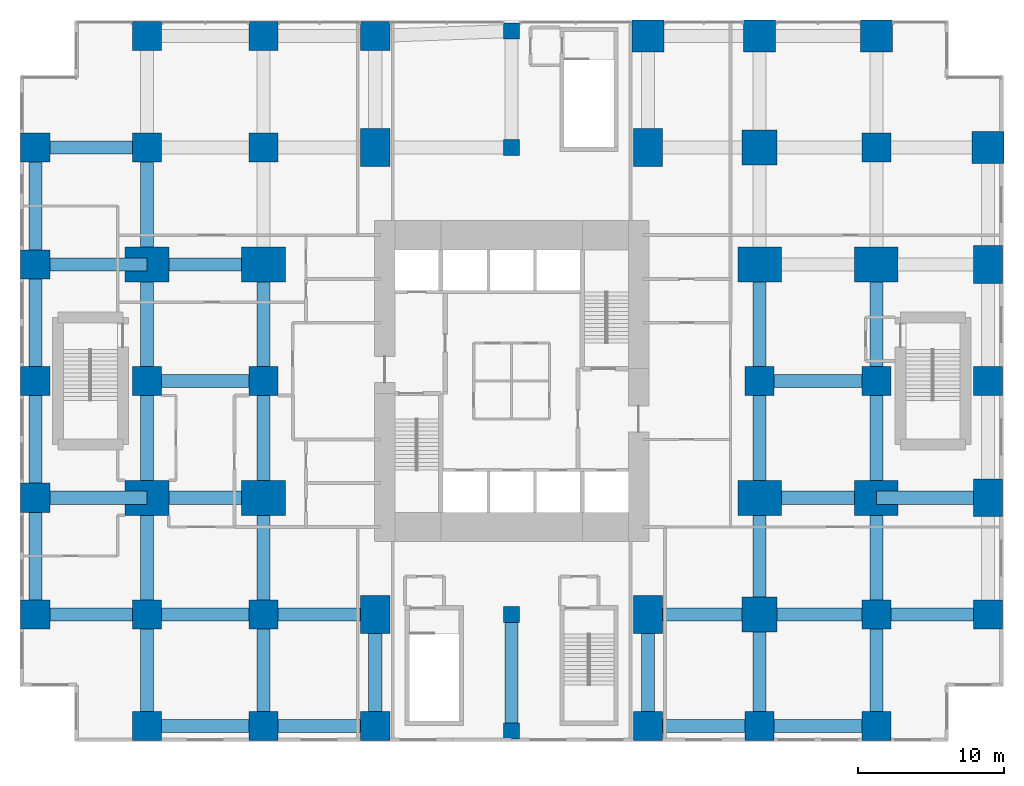
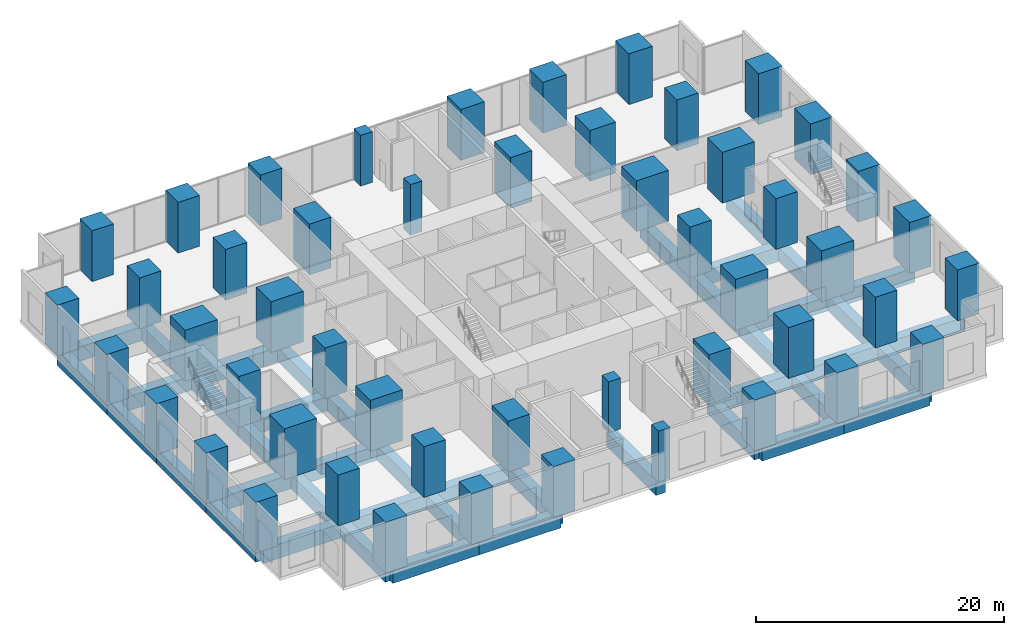
# One storey, part 1 of 11: 50 columns, 43 beams.
"""IFC4 building model written with IfcOpenShell, lengths in metres."""

from ifc_helpers import new_model, si_unit, direction, frame, origin, origin_2d, place, context, subcontext, project, spatial, rectangle, extrude, material, material_profile, profile_set, type_object, element, save


model = new_model("IFC4")

# Units and contexts
model_context = context("Model", 3, precision=1e-05, world=origin(), true_north=direction((0.0, 1.0)))
body_context = subcontext(model_context, "Body", "Model", "MODEL_VIEW")
ifc_project = project(units=[si_unit("LENGTHUNIT", "METRE"), si_unit("AREAUNIT", "SQUARE_METRE"), si_unit("VOLUMEUNIT", "CUBIC_METRE"), si_unit("PLANEANGLEUNIT", "RADIAN"), si_unit("MASSUNIT", "GRAM", prefix="KILO")], contexts=[model_context])

# Site, building, storey
site_placement = place(None, origin())
site = spatial("IfcSite", under=ifc_project, at=site_placement, CompositionType="ELEMENT")
building_placement = place(site_placement, origin())
building = spatial("IfcBuilding", under=site, at=building_placement, Name="Cleftline Residences", CompositionType="ELEMENT")
storey_placement = place(building_placement, frame((0.0, 0.0, 21.0)))
storey = spatial("IfcBuildingStorey", under=building, at=storey_placement, Name="L04", CompositionType="ELEMENT", Elevation=21.0)

# Columns
ifc_material_1 = material(Name="Concrete B70", Category="concrete")
ifc_material_profile_1 = material_profile(ifc_material_1, rectangle(XDim=1.10009765625, YDim=1.10009765625, at=origin_2d()))
ifc_profile_set_1 = profile_set([ifc_material_profile_1], Name="Concrete B70")
column_type_1 = type_object("IfcColumnType", Name="COLUMN RC1100X1100", PredefinedType="COLUMN", material=ifc_profile_set_1)
for number, where, z_axis, x_axis, name in (
    (1, (33.0, 0.0, 0.0), (0.0, 0.0, 1.0), (1.0, 0.0, 0.0), "Column C/7"),
    (2, (33.0, 8.0, 0.0), (0.0, 0.0, 1.0), (1.0, 0.0, 0.0), "Column D/7"),
    (3, (33.0, 40.0, 0.0), (0.0, 0.0, 1.0), (1.0, 0.0, 0.0), "Column H/7"),
    (4, (33.0, 48.0, 0.0), (0.0, 0.0, 1.0), (1.0, 0.0, 0.0), "Column J/7"),
):
    element("IfcColumn", number, at=place(storey_placement, frame(where, z_axis=z_axis, x_axis=x_axis)), inside=storey, type_object=column_type_1, Name=name, PredefinedType="COLUMN", context=body_context, shape_type="SweptSolid", body=[
        extrude(rectangle(XDim=1.10009765625, YDim=1.10009765625, at=origin_2d()), origin(), (0.0, 0.0, 1.0), 5.0),
    ])
ifc_material_2 = material(Name="Concrete B70", Category="concrete")
ifc_material_profile_2 = material_profile(ifc_material_2, rectangle(XDim=2.0, YDim=2.0, at=origin_2d()))
ifc_profile_set_2 = profile_set([ifc_material_profile_2], Name="Concrete B70")
column_type_2 = type_object("IfcColumnType", Name="COLUMN RC2000X2000", PredefinedType="COLUMN", material=ifc_profile_set_2)
for number, where, z_axis, x_axis, name in (
    (5, (0.35009765625, 8.0, 0.0), (0.0, 0.0, 1.0), (1.0, 0.0, 0.0), "Column D/3"),
    (6, (0.35009765625, 16.0, 0.0), (0.0, 0.0, 1.0), (1.0, 0.0, 0.0), "Column E/3"),
    (7, (0.35009765625, 24.0, 0.0), (0.0, 0.0, 1.0), (1.0, 0.0, 0.0), "Column F/3"),
    (8, (0.35009765625, 32.0, 0.0), (0.0, 0.0, 1.0), (1.0, 0.0, 0.0), "Column G/3"),
    (9, (0.35009765625, 40.0, 0.0), (0.0, 0.0, 1.0), (1.0, 0.0, 0.0), "Column H/3"),
    (10, (8.0, 0.35009765625, 0.0), (0.0, 0.0, 1.0), (1.0, 0.0, 0.0), "Column C/4"),
    (11, (8.0, 8.0, 0.0), (0.0, 0.0, 1.0), (1.0, 0.0, 0.0), "Column D/4"),
    (12, (8.0, 24.0, 0.0), (0.0, 0.0, 1.0), (1.0, 0.0, 0.0), "Column F/4"),
    (13, (8.0, 40.0, 0.0), (0.0, 0.0, 1.0), (1.0, 0.0, 0.0), "Column H/4"),
    (14, (8.0, 47.64990234375, 0.0), (0.0, 0.0, 1.0), (1.0, 0.0, 0.0), "Column J/4"),
    (15, (16.0, 0.35009765625, 0.0), (0.0, 0.0, 1.0), (1.0, 0.0, 0.0), "Column C/5"),
    (16, (16.0, 8.0, 0.0), (0.0, 0.0, 1.0), (1.0, 0.0, 0.0), "Column D/5"),
    (17, (16.0, 24.0, 0.0), (0.0, 0.0, 1.0), (1.0, 0.0, 0.0), "Column F/5"),
    (18, (16.0, 40.0, 0.0), (0.0, 0.0, 1.0), (1.0, 0.0, 0.0), "Column H/5"),
    (19, (16.0, 47.64990234375, 0.0), (0.0, 0.0, 1.0), (1.0, 0.0, 0.0), "Column J/5"),
    (20, (23.64990234375, 0.35009765625, 0.0), (0.0, 0.0, 1.0), (1.0, 0.0, 0.0), "Column C/6"),
    (21, (23.64990234375, 47.64990234375, 0.0), (0.0, 0.0, 1.0), (1.0, 0.0, 0.0), "Column J/6"),
    (22, (42.35009765625, 0.35009765625, 0.0), (0.0, 0.0, 1.0), (1.0, 0.0, 0.0), "Column C/8"),
    (23, (50.0, 0.35009765625, 0.0), (0.0, 0.0, 1.0), (1.0, 0.0, 0.0), "Column C/9"),
    (24, (50.0, 24.0, 0.0), (0.0, 0.0, 1.0), (1.0, 0.0, 0.0), "Column F/9"),
    (25, (58.0, 0.35009765625, 0.0), (0.0, 0.0, 1.0), (1.0, 0.0, 0.0), "Column C/10"),
    (26, (58.0, 8.0, 0.0), (0.0, 0.0, 1.0), (1.0, 0.0, 0.0), "Column D/10"),
    (27, (58.0, 24.0, 0.0), (0.0, 0.0, 1.0), (1.0, 0.0, 0.0), "Column F/10"),
    (28, (58.0, 40.0, 0.0), (0.0, 0.0, 1.0), (1.0, 0.0, 0.0), "Column H/10"),
    (29, (65.64990234375, 8.0, 0.0), (0.0, 0.0, 1.0), (1.0, 0.0, 0.0), "Column D/11"),
    (30, (65.64990234375, 24.0, 0.0), (0.0, 0.0, 1.0), (1.0, 0.0, 0.0), "Column F/11"),
):
    element("IfcColumn", number, at=place(storey_placement, frame(where, z_axis=z_axis, x_axis=x_axis)), inside=storey, type_object=column_type_2, Name=name, PredefinedType="COLUMN", context=body_context, shape_type="SweptSolid", body=[
        extrude(rectangle(XDim=2.0, YDim=2.0, at=origin_2d()), origin(), (0.0, 0.0, 1.0), 5.0),
    ])
ifc_material_3 = material(Name="Concrete B70", Category="concrete")
ifc_material_profile_3 = material_profile(ifc_material_3, rectangle(XDim=2.0, YDim=2.60009765625, at=origin_2d()))
ifc_profile_set_3 = profile_set([ifc_material_profile_3], Name="Concrete B70")
column_type_3 = type_object("IfcColumnType", Name="COLUMN RC2000X2600", PredefinedType="COLUMN", material=ifc_profile_set_3)
for number, where, z_axis, x_axis, name in (
    (31, (23.64990234375, 8.0, 0.0), (0.0, 0.0, 1.0), (1.0, 0.0, 0.0), "Column D/6"),
    (32, (23.64990234375, 40.0, 0.0), (0.0, 0.0, 1.0), (1.0, 0.0, 0.0), "Column H/6"),
    (33, (42.35009765625, 8.0, 0.0), (0.0, 0.0, 1.0), (1.0, 0.0, 0.0), "Column D/8"),
    (34, (42.35009765625, 40.0, 0.0), (0.0, 0.0, 1.0), (1.0, 0.0, 0.0), "Column H/8"),
):
    element("IfcColumn", number, at=place(storey_placement, frame(where, z_axis=z_axis, x_axis=x_axis)), inside=storey, type_object=column_type_3, Name=name, PredefinedType="COLUMN", context=body_context, shape_type="SweptSolid", body=[
        extrude(rectangle(XDim=2.0, YDim=2.60009765625, at=origin_2d()), origin(), (0.0, 0.0, 1.0), 5.0),
    ])
ifc_material_4 = material(Name="Concrete B70", Category="concrete")
ifc_material_profile_4 = material_profile(ifc_material_4, rectangle(XDim=2.199951171875, YDim=2.199951171875, at=origin_2d()))
ifc_profile_set_4 = profile_set([ifc_material_profile_4], Name="Concrete B70")
column_type_4 = type_object("IfcColumnType", Name="COLUMN RC2200X2200", PredefinedType="COLUMN", material=ifc_profile_set_4)
for number, where, z_axis, x_axis, name in (
    (35, (42.35009765625, 47.64990234375, 0.0), (0.0, 0.0, 1.0), (1.0, 0.0, 0.0), "Column J/8"),
    (36, (50.0, 47.64990234375, 0.0), (0.0, 0.0, 1.0), (1.0, 0.0, 0.0), "Column J/9"),
    (37, (58.0, 47.64990234375, 0.0), (0.0, 0.0, 1.0), (1.0, 0.0, 0.0), "Column J/10"),
    (38, (65.64990234375, 40.0, 0.0), (0.0, 0.0, 1.0), (1.0, 0.0, 0.0), "Column H/11"),
):
    element("IfcColumn", number, at=place(storey_placement, frame(where, z_axis=z_axis, x_axis=x_axis)), inside=storey, type_object=column_type_4, Name=name, PredefinedType="COLUMN", context=body_context, shape_type="SweptSolid", body=[
        extrude(rectangle(XDim=2.199951171875, YDim=2.199951171875, at=origin_2d()), origin(), (0.0, 0.0, 1.0), 5.0),
    ])
ifc_material_5 = material(Name="Concrete B70", Category="concrete")
ifc_material_profile_5 = material_profile(ifc_material_5, rectangle(XDim=2.39990234375, YDim=2.39990234375, at=origin_2d()))
ifc_profile_set_5 = profile_set([ifc_material_profile_5], Name="Concrete B70")
column_type_5 = type_object("IfcColumnType", Name="COLUMN RC2400X2400", PredefinedType="COLUMN", material=ifc_profile_set_5)
for number, where, z_axis, x_axis, name in (
    (39, (50.0, 8.0, 0.0), (0.0, 0.0, 1.0), (1.0, 0.0, 0.0), "Column D/9"),
    (40, (50.0, 40.0, 0.0), (0.0, 0.0, 1.0), (1.0, 0.0, 0.0), "Column H/9"),
):
    element("IfcColumn", number, at=place(storey_placement, frame(where, z_axis=z_axis, x_axis=x_axis)), inside=storey, type_object=column_type_5, Name=name, PredefinedType="COLUMN", context=body_context, shape_type="SweptSolid", body=[
        extrude(rectangle(XDim=2.39990234375, YDim=2.39990234375, at=origin_2d()), origin(), (0.0, 0.0, 1.0), 5.0),
    ])
ifc_material_6 = material(Name="Concrete B70", Category="concrete")
ifc_material_profile_6 = material_profile(ifc_material_6, rectangle(XDim=2.60009765625, YDim=2.0, at=origin_2d()))
ifc_profile_set_6 = profile_set([ifc_material_profile_6], Name="Concrete B70")
column_type_6 = type_object("IfcColumnType", Name="COLUMN RC2600X2000", PredefinedType="COLUMN", material=ifc_profile_set_6)
for number, where, z_axis, x_axis, name in (
    (41, (65.64990234375, 16.0, 0.0), (0.0, 0.0, 1.0), (0.0, 1.0, 0.0), "Column E/11"),
    (42, (65.64990234375, 32.0, 0.0), (0.0, 0.0, 1.0), (0.0, 1.0, 0.0), "Column G/11"),
):
    element("IfcColumn", number, at=place(storey_placement, frame(where, z_axis=z_axis, x_axis=x_axis)), inside=storey, type_object=column_type_6, Name=name, PredefinedType="COLUMN", context=body_context, shape_type="SweptSolid", body=[
        extrude(rectangle(XDim=2.60009765625, YDim=2.0, at=origin_2d()), origin(), (0.0, 0.0, 1.0), 5.0),
    ])
ifc_material_7 = material(Name="Concrete B70", Category="concrete")
ifc_material_profile_7 = material_profile(ifc_material_7, rectangle(XDim=3.0, YDim=2.39990234375, at=origin_2d()))
ifc_profile_set_7 = profile_set([ifc_material_profile_7], Name="Concrete B70")
column_type_7 = type_object("IfcColumnType", Name="COLUMN RC3000X2400", PredefinedType="COLUMN", material=ifc_profile_set_7)
for number, where, z_axis, x_axis, name in (
    (43, (8.0, 16.0, 0.0), (0.0, 0.0, 1.0), (1.0, 0.0, 0.0), "Column E/4"),
    (44, (8.0, 32.0, 0.0), (0.0, 0.0, 1.0), (1.0, 0.0, 0.0), "Column G/4"),
    (45, (16.0, 16.0, 0.0), (0.0, 0.0, 1.0), (1.0, 0.0, 0.0), "Column E/5"),
    (46, (16.0, 32.0, 0.0), (0.0, 0.0, 1.0), (1.0, 0.0, 0.0), "Column G/5"),
    (47, (50.0, 16.0, 0.0), (0.0, 0.0, 1.0), (1.0, 0.0, 0.0), "Column E/9"),
    (48, (50.0, 32.0, 0.0), (0.0, 0.0, 1.0), (1.0, 0.0, 0.0), "Column G/9"),
    (49, (58.0, 16.0, 0.0), (0.0, 0.0, 1.0), (1.0, 0.0, 0.0), "Column E/10"),
    (50, (58.0, 32.0, 0.0), (0.0, 0.0, 1.0), (1.0, 0.0, 0.0), "Column G/10"),
):
    element("IfcColumn", number, at=place(storey_placement, frame(where, z_axis=z_axis, x_axis=x_axis)), inside=storey, type_object=column_type_7, Name=name, PredefinedType="COLUMN", context=body_context, shape_type="SweptSolid", body=[
        extrude(rectangle(XDim=3.0, YDim=2.39990234375, at=origin_2d()), origin(), (0.0, 0.0, 1.0), 5.0),
    ])

# Beams
ifc_material_8 = material(Name="Concrete B45", Category="concrete")
ifc_material_profile_8 = material_profile(ifc_material_8, rectangle(XDim=0.89990234375, YDim=1.39990234375, at=origin_2d()))
ifc_profile_set_8 = profile_set([ifc_material_profile_8], Name="Concrete B45")
beam_type = type_object("IfcBeamType", Name="BEAM RC900X1400", PredefinedType="BEAM", material=ifc_profile_set_8)
beam_1_placement = place(storey_placement, frame((8.0, 0.35009765625, -1.0), z_axis=(1.0, 0.0, 0.0), x_axis=(0.0, 1.0, 0.0)))
element("IfcBeam", 51, at=beam_1_placement, inside=storey, type_object=beam_type, Name="Podium beam", PredefinedType="BEAM", context=body_context, shape_type="SweptSolid", body=[
    extrude(rectangle(XDim=0.89990234375, YDim=1.39990234375, at=origin_2d()), origin(), (0.0, 0.0, 1.0), 8.0),
])
for number, where, z_axis, x_axis, name in (
    (52, (16.0, 0.35009765625, -1.0), (1.0, 0.0, 0.0), (0.0, 1.0, 0.0), "Podium beam"),
    (53, (42.35009765625, 0.35009765625, -1.0), (1.0, 0.0, 0.0), (0.0, 1.0, 0.0), "Podium beam"),
):
    element("IfcBeam", number, at=place(storey_placement, frame(where, z_axis=z_axis, x_axis=x_axis)), inside=storey, type_object=beam_type, Name=name, PredefinedType="BEAM", context=body_context, shape_type="SweptSolid", body=[
        extrude(rectangle(XDim=0.89990234375, YDim=1.39990234375, at=origin_2d()), origin(), (0.0, 0.0, 1.0), 7.64990234375),
    ])
beam_2_placement = place(storey_placement, frame((50.0, 0.35009765625, -1.0), z_axis=(1.0, 0.0, 0.0), x_axis=(0.0, 1.0, 0.0)))
element("IfcBeam", 54, at=beam_2_placement, inside=storey, type_object=beam_type, Name="Podium beam", PredefinedType="BEAM", context=body_context, shape_type="SweptSolid", body=[
    extrude(rectangle(XDim=0.89990234375, YDim=1.39990234375, at=origin_2d()), origin(), (0.0, 0.0, 1.0), 8.0),
])
beam_3_placement = place(storey_placement, frame((0.35009765625, 8.0, -1.0), z_axis=(1.0, 0.0, 0.0), x_axis=(0.0, 1.0, 0.0)))
element("IfcBeam", 55, at=beam_3_placement, inside=storey, type_object=beam_type, Name="Podium beam", PredefinedType="BEAM", context=body_context, shape_type="SweptSolid", body=[
    extrude(rectangle(XDim=0.89990234375, YDim=1.39990234375, at=origin_2d()), origin(), (0.0, 0.0, 1.0), 7.64990234375),
])
beam_4_placement = place(storey_placement, frame((8.0, 8.0, -1.0), z_axis=(1.0, 0.0, 0.0), x_axis=(0.0, 1.0, 0.0)))
element("IfcBeam", 56, at=beam_4_placement, inside=storey, type_object=beam_type, Name="Podium beam", PredefinedType="BEAM", context=body_context, shape_type="SweptSolid", body=[
    extrude(rectangle(XDim=0.89990234375, YDim=1.39990234375, at=origin_2d()), origin(), (0.0, 0.0, 1.0), 8.0),
])
for number, where, z_axis, x_axis, name in (
    (57, (16.0, 8.0, -1.0), (1.0, 0.0, 0.0), (0.0, 1.0, 0.0), "Podium beam"),
    (58, (42.35009765625, 8.0, -1.0), (1.0, 0.0, 0.0), (0.0, 1.0, 0.0), "Podium beam"),
):
    element("IfcBeam", number, at=place(storey_placement, frame(where, z_axis=z_axis, x_axis=x_axis)), inside=storey, type_object=beam_type, Name=name, PredefinedType="BEAM", context=body_context, shape_type="SweptSolid", body=[
        extrude(rectangle(XDim=0.89990234375, YDim=1.39990234375, at=origin_2d()), origin(), (0.0, 0.0, 1.0), 7.64990234375),
    ])
beam_5_placement = place(storey_placement, frame((50.0, 8.0, -1.0), z_axis=(1.0, 0.0, 0.0), x_axis=(0.0, 1.0, 0.0)))
element("IfcBeam", 59, at=beam_5_placement, inside=storey, type_object=beam_type, Name="Podium beam", PredefinedType="BEAM", context=body_context, shape_type="SweptSolid", body=[
    extrude(rectangle(XDim=0.89990234375, YDim=1.39990234375, at=origin_2d()), origin(), (0.0, 0.0, 1.0), 8.0),
])
for number, where, z_axis, x_axis, name in (
    (60, (58.0, 8.0, -1.0), (1.0, 0.0, 0.0), (0.0, 1.0, 0.0), "Podium beam"),
    (61, (0.35009765625, 16.0, -1.0), (1.0, 0.0, 0.0), (0.0, 1.0, 0.0), "Podium beam"),
):
    element("IfcBeam", number, at=place(storey_placement, frame(where, z_axis=z_axis, x_axis=x_axis)), inside=storey, type_object=beam_type, Name=name, PredefinedType="BEAM", context=body_context, shape_type="SweptSolid", body=[
        extrude(rectangle(XDim=0.89990234375, YDim=1.39990234375, at=origin_2d()), origin(), (0.0, 0.0, 1.0), 7.64990234375),
    ])
for number, where, z_axis, x_axis, name in (
    (62, (8.0, 16.0, -1.0), (1.0, 0.0, 0.0), (0.0, 1.0, 0.0), "Podium beam"),
    (63, (50.0, 16.0, -1.0), (1.0, 0.0, 0.0), (0.0, 1.0, 0.0), "Podium beam"),
):
    element("IfcBeam", number, at=place(storey_placement, frame(where, z_axis=z_axis, x_axis=x_axis)), inside=storey, type_object=beam_type, Name=name, PredefinedType="BEAM", context=body_context, shape_type="SweptSolid", body=[
        extrude(rectangle(XDim=0.89990234375, YDim=1.39990234375, at=origin_2d()), origin(), (0.0, 0.0, 1.0), 8.0),
    ])
beam_6_placement = place(storey_placement, frame((58.0, 16.0, -1.0), z_axis=(1.0, 0.0, 0.0), x_axis=(0.0, 1.0, 0.0)))
element("IfcBeam", 64, at=beam_6_placement, inside=storey, type_object=beam_type, Name="Podium beam", PredefinedType="BEAM", context=body_context, shape_type="SweptSolid", body=[
    extrude(rectangle(XDim=0.89990234375, YDim=1.39990234375, at=origin_2d()), origin(), (0.0, 0.0, 1.0), 7.64990234375),
])
for number, where, z_axis, x_axis, name in (
    (65, (8.0, 24.0, -1.0), (1.0, 0.0, 0.0), (0.0, 1.0, 0.0), "Podium beam"),
    (66, (50.0, 24.0, -1.0), (1.0, 0.0, 0.0), (0.0, 1.0, 0.0), "Podium beam"),
):
    element("IfcBeam", number, at=place(storey_placement, frame(where, z_axis=z_axis, x_axis=x_axis)), inside=storey, type_object=beam_type, Name=name, PredefinedType="BEAM", context=body_context, shape_type="SweptSolid", body=[
        extrude(rectangle(XDim=0.89990234375, YDim=1.39990234375, at=origin_2d()), origin(), (0.0, 0.0, 1.0), 8.0),
    ])
beam_7_placement = place(storey_placement, frame((0.35009765625, 32.0, -1.0), z_axis=(1.0, 0.0, 0.0), x_axis=(0.0, 1.0, 0.0)))
element("IfcBeam", 67, at=beam_7_placement, inside=storey, type_object=beam_type, Name="Podium beam", PredefinedType="BEAM", context=body_context, shape_type="SweptSolid", body=[
    extrude(rectangle(XDim=0.89990234375, YDim=1.39990234375, at=origin_2d()), origin(), (0.0, 0.0, 1.0), 7.64990234375),
])
beam_8_placement = place(storey_placement, frame((8.0, 32.0, -1.0), z_axis=(1.0, 0.0, 0.0), x_axis=(0.0, 1.0, 0.0)))
element("IfcBeam", 68, at=beam_8_placement, inside=storey, type_object=beam_type, Name="Podium beam", PredefinedType="BEAM", context=body_context, shape_type="SweptSolid", body=[
    extrude(rectangle(XDim=0.89990234375, YDim=1.39990234375, at=origin_2d()), origin(), (0.0, 0.0, 1.0), 8.0),
])
beam_9_placement = place(storey_placement, frame((0.35009765625, 40.0, -1.0), z_axis=(1.0, 0.0, 0.0), x_axis=(0.0, 1.0, 0.0)))
element("IfcBeam", 69, at=beam_9_placement, inside=storey, type_object=beam_type, Name="Podium beam", PredefinedType="BEAM", context=body_context, shape_type="SweptSolid", body=[
    extrude(rectangle(XDim=0.89990234375, YDim=1.39990234375, at=origin_2d()), origin(), (0.0, 0.0, 1.0), 7.64990234375),
])
for number, where, z_axis, x_axis, name in (
    (70, (0.35009765625, 8.0, -1.0), (0.0, 1.0, 0.0), (-1.0, 0.0, 0.0), "Podium beam"),
    (71, (0.35009765625, 16.0, -1.0), (0.0, 1.0, 0.0), (-1.0, 0.0, 0.0), "Podium beam"),
    (72, (0.35009765625, 24.0, -1.0), (0.0, 1.0, 0.0), (-1.0, 0.0, 0.0), "Podium beam"),
    (73, (0.35009765625, 32.0, -1.0), (0.0, 1.0, 0.0), (-1.0, 0.0, 0.0), "Podium beam"),
):
    element("IfcBeam", number, at=place(storey_placement, frame(where, z_axis=z_axis, x_axis=x_axis)), inside=storey, type_object=beam_type, Name=name, PredefinedType="BEAM", context=body_context, shape_type="SweptSolid", body=[
        extrude(rectangle(XDim=0.89990234375, YDim=1.39990234375, at=origin_2d()), origin(), (0.0, 0.0, 1.0), 8.0),
    ])
beam_10_placement = place(storey_placement, frame((8.0, 0.35009765625, -1.0), z_axis=(0.0, 1.0, 0.0), x_axis=(-1.0, 0.0, 0.0)))
element("IfcBeam", 74, at=beam_10_placement, inside=storey, type_object=beam_type, Name="Podium beam", PredefinedType="BEAM", context=body_context, shape_type="SweptSolid", body=[
    extrude(rectangle(XDim=0.89990234375, YDim=1.39990234375, at=origin_2d()), origin(), (0.0, 0.0, 1.0), 7.64990234375),
])
for number, where, z_axis, x_axis, name in (
    (75, (8.0, 8.0, -1.0), (0.0, 1.0, 0.0), (-1.0, 0.0, 0.0), "Podium beam"),
    (76, (8.0, 16.0, -1.0), (0.0, 1.0, 0.0), (-1.0, 0.0, 0.0), "Podium beam"),
    (77, (8.0, 24.0, -1.0), (0.0, 1.0, 0.0), (-1.0, 0.0, 0.0), "Podium beam"),
    (78, (8.0, 32.0, -1.0), (0.0, 1.0, 0.0), (-1.0, 0.0, 0.0), "Podium beam"),
):
    element("IfcBeam", number, at=place(storey_placement, frame(where, z_axis=z_axis, x_axis=x_axis)), inside=storey, type_object=beam_type, Name=name, PredefinedType="BEAM", context=body_context, shape_type="SweptSolid", body=[
        extrude(rectangle(XDim=0.89990234375, YDim=1.39990234375, at=origin_2d()), origin(), (0.0, 0.0, 1.0), 8.0),
    ])
beam_11_placement = place(storey_placement, frame((16.0, 0.35009765625, -1.0), z_axis=(0.0, 1.0, 0.0), x_axis=(-1.0, 0.0, 0.0)))
element("IfcBeam", 79, at=beam_11_placement, inside=storey, type_object=beam_type, Name="Podium beam", PredefinedType="BEAM", context=body_context, shape_type="SweptSolid", body=[
    extrude(rectangle(XDim=0.89990234375, YDim=1.39990234375, at=origin_2d()), origin(), (0.0, 0.0, 1.0), 7.64990234375),
])
for number, where, z_axis, x_axis, name in (
    (80, (16.0, 8.0, -1.0), (0.0, 1.0, 0.0), (-1.0, 0.0, 0.0), "Podium beam"),
    (81, (16.0, 16.0, -1.0), (0.0, 1.0, 0.0), (-1.0, 0.0, 0.0), "Podium beam"),
    (82, (16.0, 24.0, -1.0), (0.0, 1.0, 0.0), (-1.0, 0.0, 0.0), "Podium beam"),
):
    element("IfcBeam", number, at=place(storey_placement, frame(where, z_axis=z_axis, x_axis=x_axis)), inside=storey, type_object=beam_type, Name=name, PredefinedType="BEAM", context=body_context, shape_type="SweptSolid", body=[
        extrude(rectangle(XDim=0.89990234375, YDim=1.39990234375, at=origin_2d()), origin(), (0.0, 0.0, 1.0), 8.0),
    ])
beam_12_placement = place(storey_placement, frame((23.64990234375, 0.35009765625, -1.0), z_axis=(0.0, 1.0, 0.0), x_axis=(-1.0, 0.0, 0.0)))
element("IfcBeam", 83, at=beam_12_placement, inside=storey, type_object=beam_type, Name="Podium beam", PredefinedType="BEAM", context=body_context, shape_type="SweptSolid", body=[
    extrude(rectangle(XDim=0.89990234375, YDim=1.39990234375, at=origin_2d()), origin(), (0.0, 0.0, 1.0), 7.64990234375),
])
beam_13_placement = place(storey_placement, frame((33.0, 0.0, -1.0), z_axis=(0.0, 1.0, 0.0), x_axis=(-1.0, 0.0, 0.0)))
element("IfcBeam", 84, at=beam_13_placement, inside=storey, type_object=beam_type, Name="Podium beam", PredefinedType="BEAM", context=body_context, shape_type="SweptSolid", body=[
    extrude(rectangle(XDim=0.89990234375, YDim=1.39990234375, at=origin_2d()), origin(), (0.0, 0.0, 1.0), 8.0),
])
for number, where, z_axis, x_axis, name in (
    (85, (42.35009765625, 0.35009765625, -1.0), (0.0, 1.0, 0.0), (-1.0, 0.0, 0.0), "Podium beam"),
    (86, (50.0, 0.35009765625, -1.0), (0.0, 1.0, 0.0), (-1.0, 0.0, 0.0), "Podium beam"),
):
    element("IfcBeam", number, at=place(storey_placement, frame(where, z_axis=z_axis, x_axis=x_axis)), inside=storey, type_object=beam_type, Name=name, PredefinedType="BEAM", context=body_context, shape_type="SweptSolid", body=[
        extrude(rectangle(XDim=0.89990234375, YDim=1.39990234375, at=origin_2d()), origin(), (0.0, 0.0, 1.0), 7.64990234375),
    ])
for number, where, z_axis, x_axis, name in (
    (87, (50.0, 8.0, -1.0), (0.0, 1.0, 0.0), (-1.0, 0.0, 0.0), "Podium beam"),
    (88, (50.0, 16.0, -1.0), (0.0, 1.0, 0.0), (-1.0, 0.0, 0.0), "Podium beam"),
    (89, (50.0, 24.0, -1.0), (0.0, 1.0, 0.0), (-1.0, 0.0, 0.0), "Podium beam"),
):
    element("IfcBeam", number, at=place(storey_placement, frame(where, z_axis=z_axis, x_axis=x_axis)), inside=storey, type_object=beam_type, Name=name, PredefinedType="BEAM", context=body_context, shape_type="SweptSolid", body=[
        extrude(rectangle(XDim=0.89990234375, YDim=1.39990234375, at=origin_2d()), origin(), (0.0, 0.0, 1.0), 8.0),
    ])
beam_14_placement = place(storey_placement, frame((58.0, 0.35009765625, -1.0), z_axis=(0.0, 1.0, 0.0), x_axis=(-1.0, 0.0, 0.0)))
element("IfcBeam", 90, at=beam_14_placement, inside=storey, type_object=beam_type, Name="Podium beam", PredefinedType="BEAM", context=body_context, shape_type="SweptSolid", body=[
    extrude(rectangle(XDim=0.89990234375, YDim=1.39990234375, at=origin_2d()), origin(), (0.0, 0.0, 1.0), 7.64990234375),
])
for number, where, z_axis, x_axis, name in (
    (91, (58.0, 8.0, -1.0), (0.0, 1.0, 0.0), (-1.0, 0.0, 0.0), "Podium beam"),
    (92, (58.0, 16.0, -1.0), (0.0, 1.0, 0.0), (-1.0, 0.0, 0.0), "Podium beam"),
    (93, (58.0, 24.0, -1.0), (0.0, 1.0, 0.0), (-1.0, 0.0, 0.0), "Podium beam"),
):
    element("IfcBeam", number, at=place(storey_placement, frame(where, z_axis=z_axis, x_axis=x_axis)), inside=storey, type_object=beam_type, Name=name, PredefinedType="BEAM", context=body_context, shape_type="SweptSolid", body=[
        extrude(rectangle(XDim=0.89990234375, YDim=1.39990234375, at=origin_2d()), origin(), (0.0, 0.0, 1.0), 8.0),
    ])

save(model, "model.ifc")
